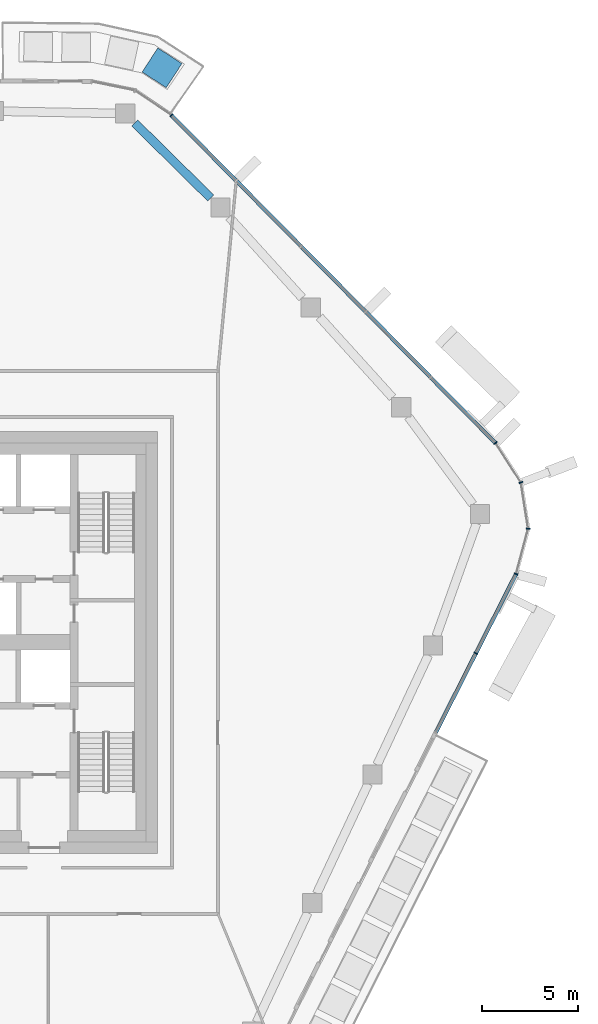
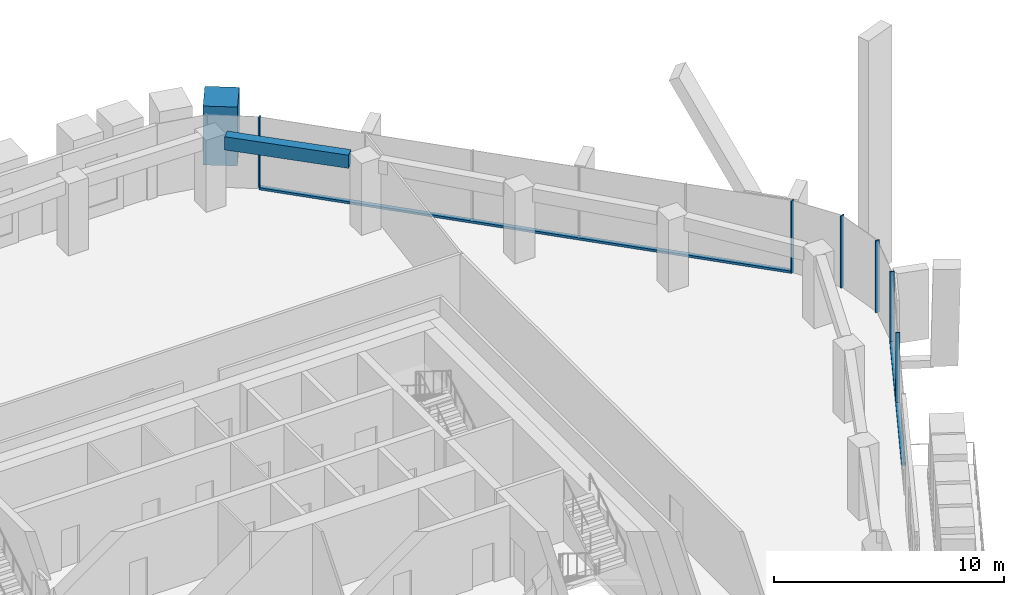
# One storey, part 10 of 23: 9 members, 1 beam, 3 elements without a shape of their own.
"""IFC4 building model written with IfcOpenShell, lengths in metres."""

from ifc_helpers import new_model, si_unit, direction, frame, origin, origin_2d, place, context, subcontext, project, spatial, rectangle, extrude, material, layer, layer_set, material_profile, profile_set, type_object, element, aggregate, save


model = new_model("IFC4")

# Units and contexts
model_context = context("Model", 3, precision=1e-05, world=origin(), true_north=direction((0.0, 1.0)))
body_context = subcontext(model_context, "Body", "Model", "MODEL_VIEW")
ifc_project = project(units=[si_unit("LENGTHUNIT", "METRE"), si_unit("AREAUNIT", "SQUARE_METRE"), si_unit("VOLUMEUNIT", "CUBIC_METRE"), si_unit("PLANEANGLEUNIT", "RADIAN"), si_unit("MASSUNIT", "GRAM", prefix="KILO")], contexts=[model_context])

# Site, building, storey
site_placement = place(None, origin())
site = spatial("IfcSite", under=ifc_project, at=site_placement, CompositionType="ELEMENT")
building_placement = place(site_placement, origin())
building = spatial("IfcBuilding", under=site, at=building_placement, Name="Dongbaek Canopy Tower", CompositionType="ELEMENT")
storey_placement = place(building_placement, frame((0.0, 0.0, 319.39990234375)))
storey = spatial("IfcBuildingStorey", under=building, at=storey_placement, Name="L68", CompositionType="ELEMENT", Elevation=319.39990234375)

# Curtain wall, members
ifc_material_1 = material(Name="Aluminium 6063-T6 pale anodised", Category="aluminium")
ifc_layer = layer(ifc_material_1, 0.199951171875)
ifc_layer_set = layer_set([ifc_layer], Name="CW-1 unitised tower curtain wall")
curtain_wall_type = type_object("IfcCurtainWallType", Name="CW-1 unitised tower curtain wall", PredefinedType="NOTDEFINED", material=ifc_layer_set)
curtain_wall_1_placement = place(storey_placement, origin())
curtain_wall_1 = element("IfcCurtainWall", 1, at=curtain_wall_1_placement, inside=storey, type_object=curtain_wall_type, Name="CW-1 curtain wall K0.1", PredefinedType="NOTDEFINED")
ifc_material_2 = material(Name="Aluminium 6063-T6 pale anodised", Category="aluminium")
ifc_material_profile_1 = material_profile(ifc_material_2, rectangle(XDim=0.199951171875, YDim=0.06005859375, at=origin_2d()), Name="CW-1 mullion 60 x 200")
ifc_profile_set_1 = profile_set([ifc_material_profile_1], Name="Aluminium 6063-T6 pale anodised")
member_type_1 = type_object("IfcMemberType", Name="CW-1 mullion 60 x 200", PredefinedType="MULLION", material=ifc_profile_set_1)
member_1_placement = place(storey_placement, frame((32.68701171875, 3.5625, 0.0), z_axis=(0.0, 0.0, 1.0), x_axis=(0.966173872892, -0.257891541817, 0.0)))
member_1 = element("IfcMember", 2, at=member_1_placement, type_object=member_type_1, Name="CW-1 mullion K0.1.1", PredefinedType="MULLION", context=body_context, shape_type="SweptSolid", body=[
    extrude(rectangle(XDim=0.199951171875, YDim=0.06005859375, at=origin_2d()), origin(), (0.0, 0.0, 1.0), 3.820068359375),
])
member_2_placement = place(storey_placement, frame((33.318359375, 5.927734375, 0.0), z_axis=(0.0, 0.0, 1.0), x_axis=(0.998611357657, -0.052681651057, 0.0)))
member_2 = element("IfcMember", 3, at=member_2_placement, type_object=member_type_1, Name="CW-1 mullion K0.1.2", PredefinedType="MULLION", context=body_context, shape_type="SweptSolid", body=[
    extrude(rectangle(XDim=0.199951171875, YDim=0.06005859375, at=origin_2d()), origin(), (0.0, 0.0, 1.0), 3.820068359375),
])
member_3_placement = place(storey_placement, frame((32.941162109375, 8.335693359375, 0.0), z_axis=(0.0, 0.0, 1.0), x_axis=(0.934636647139, 0.355604187018, 0.0)))
member_3 = element("IfcMember", 4, at=member_3_placement, type_object=member_type_1, Name="CW-1 mullion K0.1.3", PredefinedType="MULLION", context=body_context, shape_type="SweptSolid", body=[
    extrude(rectangle(XDim=0.199951171875, YDim=0.06005859375, at=origin_2d()), origin(), (0.0, 0.0, 1.0), 3.820068359375),
])
member_4_placement = place(storey_placement, frame((31.61669921875, 10.394287109375, 0.0), z_axis=(0.0, 0.0, 1.0), x_axis=(0.840985810818, 0.54105717443, 0.0)))
member_4 = element("IfcMember", 5, at=member_4_placement, type_object=member_type_1, Name="CW-1 mullion K0.1.4", PredefinedType="MULLION", context=body_context, shape_type="SweptSolid", body=[
    extrude(rectangle(XDim=0.199951171875, YDim=0.06005859375, at=origin_2d()), origin(), (0.0, 0.0, 1.0), 3.820068359375),
])
aggregate(curtain_wall_1, [member_1, member_2, member_3, member_4])

# Curtain wall, member
curtain_wall_2_placement = place(storey_placement, origin())
curtain_wall_2 = element("IfcCurtainWall", 6, at=curtain_wall_2_placement, inside=storey, type_object=curtain_wall_type, Name="CW-1 curtain wall F0.1", PredefinedType="NOTDEFINED")
member_5_placement = place(storey_placement, frame((14.72802734375, 27.47216796875, 0.1201171875), z_axis=(0.0, 0.0, 1.0), x_axis=(0.711035260325, 0.703156354287, 0.0)))
member_5 = element("IfcMember", 7, at=member_5_placement, type_object=member_type_1, Name="CW-1 mullion F0.1.6", PredefinedType="MULLION", context=body_context, shape_type="SweptSolid", body=[
    extrude(rectangle(XDim=0.199951171875, YDim=0.06005859375, at=origin_2d()), origin(), (0.0, 0.0, 1.0), 3.699951171875),
])

curtain_wall_3_placement = place(storey_placement, origin())
curtain_wall_3 = element("IfcCurtainWall", 8, at=curtain_wall_3_placement, inside=storey, type_object=curtain_wall_type, Name="CW-1 curtain wall F5.1", PredefinedType="NOTDEFINED")
member_6_placement = place(storey_placement, frame((30.593505859375, -0.569580078125, 0.1201171875), z_axis=(0.0, 0.0, 1.0), x_axis=(0.892033145359, -0.451969985266, 0.0)))
member_6 = element("IfcMember", 9, at=member_6_placement, type_object=member_type_1, Name="CW-1 mullion F5.1.2", PredefinedType="MULLION", context=body_context, shape_type="SweptSolid", body=[
    extrude(rectangle(XDim=0.199951171875, YDim=0.06005859375, at=origin_2d()), origin(), (0.0, 0.0, 1.0), 3.699951171875),
])

# Member
ifc_material_3 = material(Name="Aluminium 6063-T6 pale anodised", Category="aluminium")
ifc_material_profile_2 = material_profile(ifc_material_3, rectangle(XDim=0.199951171875, YDim=0.1201171875, at=origin_2d()), Name="CW-1 transom 120 x 200")
ifc_profile_set_2 = profile_set([ifc_material_profile_2], Name="Aluminium 6063-T6 pale anodised")
member_type_2 = type_object("IfcMemberType", Name="CW-1 transom 120 x 200", PredefinedType="USERDEFINED", material=ifc_profile_set_2)
member_7_placement = place(storey_placement, frame((31.61669921875, 10.394287109375, 0.06005859375), z_axis=(-0.703156968837, 0.711034652584, 0.0), x_axis=(-0.711034652584, -0.703156968837, 0.0)))
member_7 = element("IfcMember", 10, at=member_7_placement, type_object=member_type_2, Name="CW-1 transom F0.1.1", ObjectType="TRANSOM", PredefinedType="USERDEFINED", context=body_context, shape_type="SweptSolid", body=[
    extrude(rectangle(XDim=0.199951171875, YDim=0.1201171875, at=origin_2d()), origin(), (0.0, 0.0, 1.0), 24.018310546875),
])

aggregate(curtain_wall_2, [member_5, member_7])

member_8_placement = place(storey_placement, frame((28.495361328125, -4.710693359375, 0.06005859375), z_axis=(0.451956135194, 0.892040162695, 0.0), x_axis=(-0.892040162695, 0.451956135194, 0.0)))
member_8 = element("IfcMember", 11, at=member_8_placement, type_object=member_type_2, Name="CW-1 transom F5.1.1", ObjectType="TRANSOM", PredefinedType="USERDEFINED", context=body_context, shape_type="SweptSolid", body=[
    extrude(rectangle(XDim=0.199951171875, YDim=0.1201171875, at=origin_2d()), origin(), (0.0, 0.0, 1.0), 9.2744140625),
])

aggregate(curtain_wall_3, [member_6, member_8])

# Beam
ifc_material_4 = material(Name="Concrete C60", Category="concrete")
ifc_material_profile_3 = material_profile(ifc_material_4, rectangle(XDim=0.449951171875, YDim=0.699951171875, at=origin_2d()), Name="RC EDGE BEAM 450x700 C60")
ifc_profile_set_3 = profile_set([ifc_material_profile_3], Name="Concrete C60")
beam_type = type_object("IfcBeamType", Name="RC EDGE BEAM 450x700 C60", PredefinedType="BEAM", material=ifc_profile_set_3)
beam_placement = place(storey_placement, frame((12.81396484375, 27.069580078125, 3.47021484375), z_axis=(0.711740530271, -0.702442465665, 0.0), x_axis=(0.702442465665, 0.711740530271, 0.0)))
element("IfcBeam", 12, at=beam_placement, inside=storey, type_object=beam_type, Name="EDGEBEAM:L68:17", PredefinedType="BEAM", context=body_context, shape_type="SweptSolid", body=[
    extrude(rectangle(XDim=0.449951171875, YDim=0.699951171875, at=origin_2d()), origin(), (0.0, 0.0, 1.0), 5.56640625),
])

# Member
ifc_material_5 = material(Name="Concrete C40/50 planter mass with planting", Category="concrete")
ifc_material_profile_4 = material_profile(ifc_material_5, rectangle(XDim=1.5, YDim=1.5, at=origin_2d()), Name="Terrace PLANTER shrub mass 1500 x 1500")
ifc_profile_set_4 = profile_set([ifc_material_profile_4], Name="Concrete C40/50 planter mass with planting")
member_type_3 = type_object("IfcMemberType", Name="Terrace PLANTER shrub mass 1500 x 1500", PredefinedType="USERDEFINED", material=ifc_profile_set_4)
member_9_placement = place(storey_placement, frame((14.234619140625, 29.948486328125, 0.420166015625), z_axis=(0.0, 0.0, 1.0), x_axis=(0.54494899616, 0.83846919537, 0.0)))
element("IfcMember", 13, at=member_9_placement, inside=storey, type_object=member_type_3, Name="Planter shrubs L68 5.1", ObjectType="PLANTER", PredefinedType="USERDEFINED", context=body_context, shape_type="SweptSolid", body=[
    extrude(rectangle(XDim=1.5, YDim=1.5, at=origin_2d()), origin(), (0.0, 0.0, 1.0), 3.1298828125),
])

save(model, "model.ifc")
